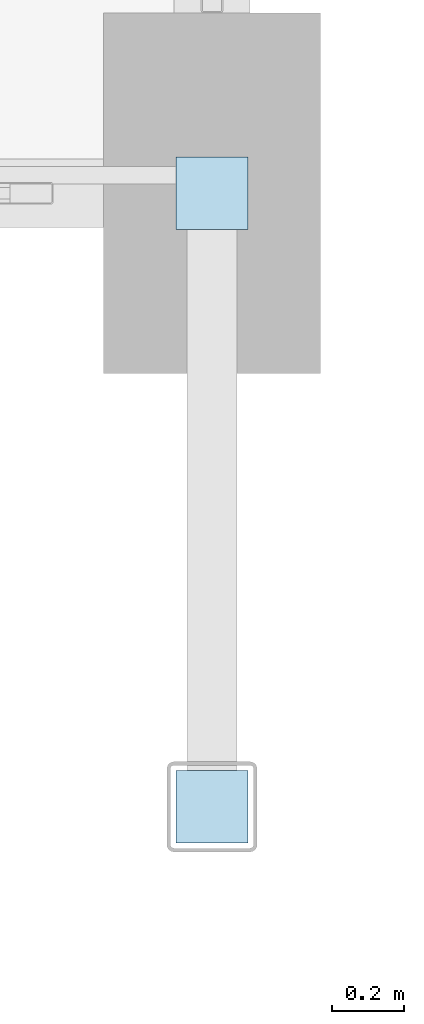
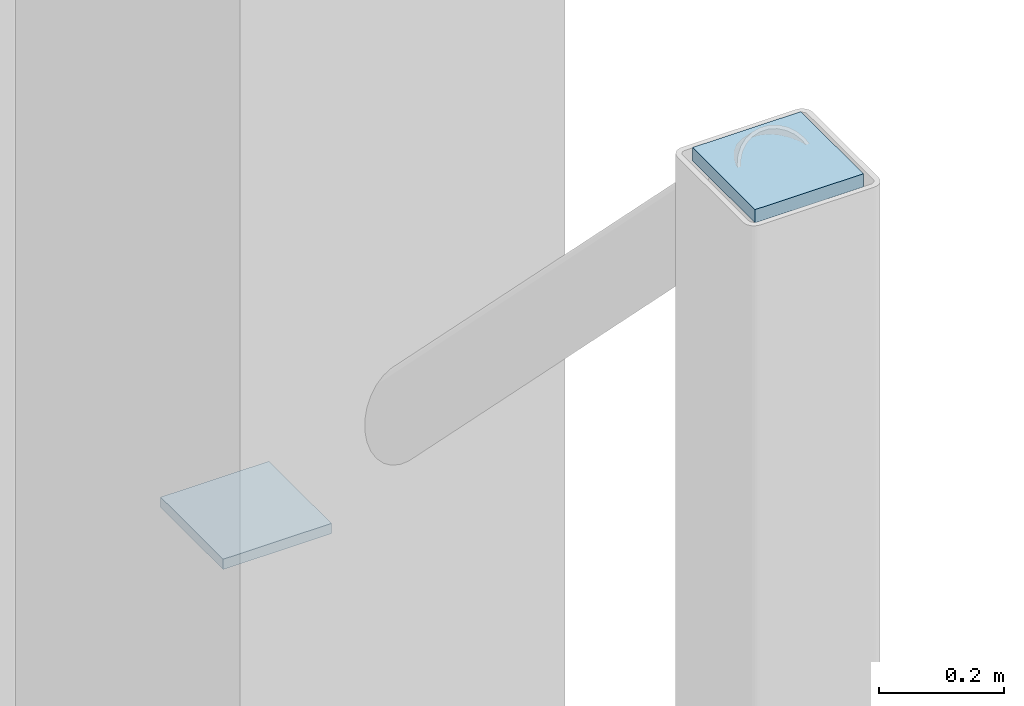
# One storey, part 101 of 127: 2 plates.
"""IFC4 building model written with IfcOpenShell, lengths in metres."""

from ifc_helpers import new_model, si_unit, direction, frame, origin, origin_2d, place, context, subcontext, project, spatial, rectangle, extrude, material, layer, layer_set, type_object, element, save


model = new_model("IFC4")

# Units and contexts
model_context = context("Model", 3, precision=1e-05, world=origin(), true_north=direction((0.0, 1.0)))
body_context = subcontext(model_context, "Body", "Model", "MODEL_VIEW")
ifc_project = project(units=[si_unit("LENGTHUNIT", "METRE"), si_unit("AREAUNIT", "SQUARE_METRE"), si_unit("VOLUMEUNIT", "CUBIC_METRE"), si_unit("PLANEANGLEUNIT", "RADIAN"), si_unit("MASSUNIT", "GRAM", prefix="KILO")], contexts=[model_context])

# Site, building, storey
site_placement = place(None, origin())
site = spatial("IfcSite", under=ifc_project, at=site_placement, CompositionType="ELEMENT")
building_placement = place(site_placement, origin())
building = spatial("IfcBuilding", under=site, at=building_placement, Name="Dunvalen Ferry Terminal", CompositionType="ELEMENT")
storey_placement = place(building_placement, frame((0.0, 0.0, 5.760009765625)))
storey = spatial("IfcBuildingStorey", under=building, at=storey_placement, Name="L01", CompositionType="ELEMENT", Elevation=5.760009765625)

# Plates
ifc_material = material(Name="Steel S355", Category="steel")
ifc_layer_1 = layer(ifc_material, 0.02001953125, Name="Steel S355")
ifc_layer_set_1 = layer_set([ifc_layer_1], Name="Steel S355")
plate_type_1 = type_object("IfcPlateType", Name="STR-PL-GUSSET-01", PredefinedType="USERDEFINED", material=ifc_layer_set_1)
plate_1_placement = place(storey_placement, frame((96.0, 50.39990234375, 3.179931640625), z_axis=(0.0, 0.0, 1.0), x_axis=(1.0, 0.0, 0.0)))
element("IfcPlate", 1, at=plate_1_placement, inside=storey, type_object=plate_type_1, Name="L01 Brace-Strut End Cleat Plate 149", ObjectType="GUSSET PLATE", PredefinedType="USERDEFINED", context=body_context, shape_type="SweptSolid", body=[
    extrude(rectangle(XDim=0.199951171875, YDim=0.199951171875, at=origin_2d()), origin(), (0.0, 0.0, 1.0), 0.02001953125),
])
ifc_layer_2 = layer(ifc_material, 0.02587890625, Name="Steel S355")
ifc_layer_set_2 = layer_set([ifc_layer_2], Name="Steel S355")
plate_type_2 = type_object("IfcPlateType", Name="STR-PL-GUSSET-02", PredefinedType="USERDEFINED", material=ifc_layer_set_2)
plate_2_placement = place(storey_placement, frame((96.0, 48.699951171875, 4.886962890625), z_axis=(0.0, 0.0, 1.0), x_axis=(1.0, 0.0, 0.0)))
element("IfcPlate", 2, at=plate_2_placement, inside=storey, type_object=plate_type_2, Name="L01 Brace-Strut End Cleat Plate 150", ObjectType="GUSSET PLATE", PredefinedType="USERDEFINED", context=body_context, shape_type="SweptSolid", body=[
    extrude(rectangle(XDim=0.199951171875, YDim=0.199951171875, at=origin_2d()), origin(), (0.0, 0.0, 1.0), 0.02587890625),
])

save(model, "model.ifc")
